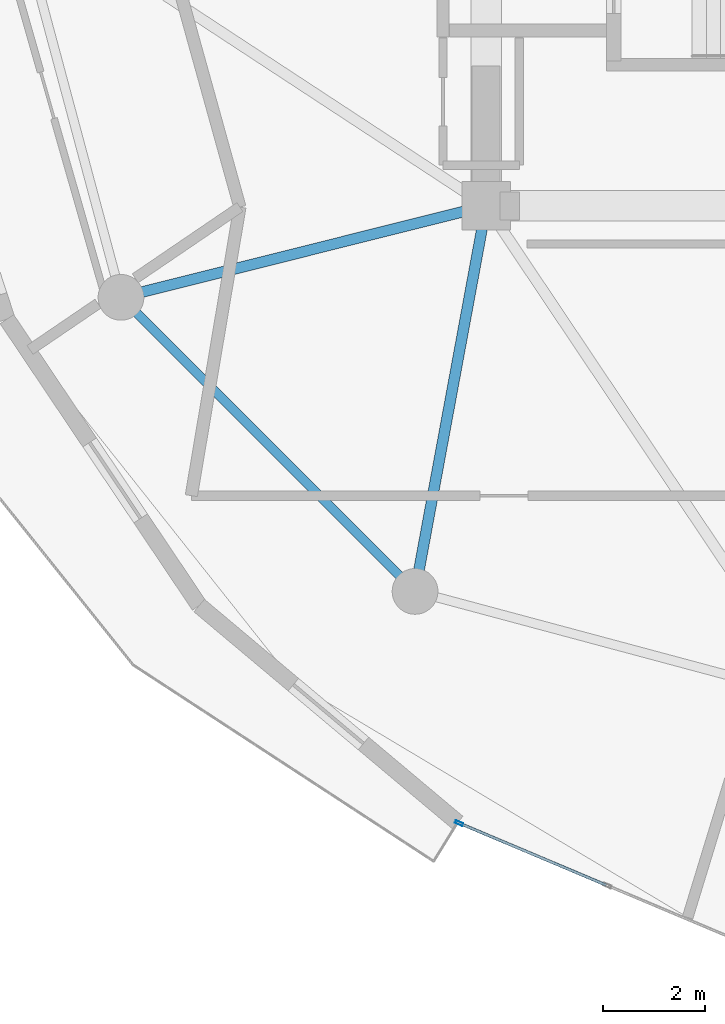
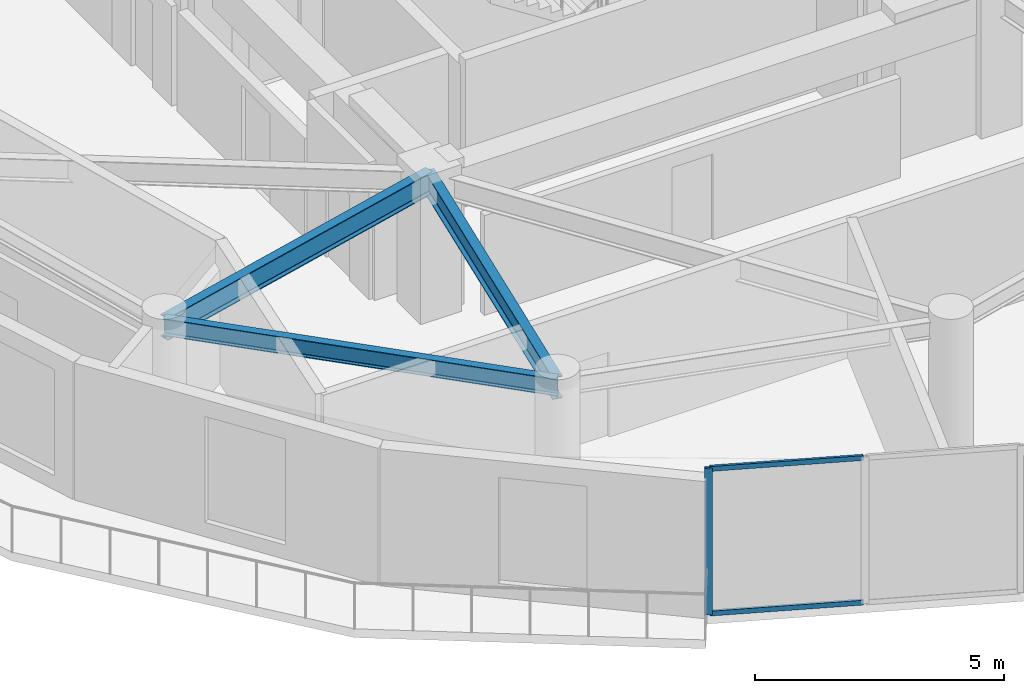
# One storey, part 2 of 18: 3 beams, 3 members, 1 element without a shape of its own.
"""IFC4 building model written with IfcOpenShell, lengths in metres."""

import ifcopenshell
import ifcopenshell.guid

model = None  # the IFC model being written
_history = None  # IfcOwnerHistory: only IFC2X3 demands one
_inside = {}  # id of a spatial element -> (the spatial element, [elements in it])
_under = {}  # id of a project, library or spatial element -> (it, [spatial elements below it])
_declared = {}  # id of a project -> (the project, [libraries it declares])
_typed = {}  # id of a type object -> (the type object, [elements of that type])
_made_of = {}  # id of a material, layer set ... -> (it, [elements and type objects made of it])


def new_model(schema):
    """Start an empty IFC model of exactly this schema.

    Asked for "IFC4X3", IfcOpenShell would pick the latest addendum, in which some entities
    have other attributes; the version numbers below select the first issue.
    IFC2X3 requires an IfcOwnerHistory on every rooted entity: one is made here for all.
    """
    global model, _history
    if schema == "IFC4X3":
        model = ifcopenshell.file(schema_version=(4, 3, 0, 0))
    else:
        model = ifcopenshell.file(schema=schema)
    _inside.clear()
    _under.clear()
    _declared.clear()
    _typed.clear()
    _made_of.clear()
    _history = None
    if model.schema == "IFC2X3":
        org = make("IfcOrganization", Name="unknown")
        user = make(
            "IfcPersonAndOrganization",
            ThePerson=make("IfcPerson", FamilyName="unknown"),
            TheOrganization=org,
        )
        app = make(
            "IfcApplication",
            ApplicationDeveloper=org,
            Version="unknown",
            ApplicationFullName="unknown",
            ApplicationIdentifier="unknown",
        )
        _history = make(
            "IfcOwnerHistory",
            OwningUser=user,
            OwningApplication=app,
            ChangeAction="ADDED",
            CreationDate=0,
        )
    return model


def make(cls, **values):
    """One entity of the class cls with the attributes given. An attribute that is None is left unset."""
    return model.create_entity(
        cls, **{name: value for name, value in values.items() if value is not None}
    )


def rooted(cls, **values):
    """An entity with a GlobalId (a new one), such as an element, a storey or a relation."""
    return make(cls, GlobalId=ifcopenshell.guid.new(), OwnerHistory=_history, **values)


def si_unit(unit_type, name, prefix=None):
    """IfcSIUnit, for example si_unit("LENGTHUNIT", "METRE", prefix="MILLI")."""
    return make("IfcSIUnit", UnitType=unit_type, Prefix=prefix, Name=name)


def assignment(units):
    """IfcUnitAssignment: the units of a project."""
    return None if units is None else make("IfcUnitAssignment", Units=units)


def point(xyz):
    """IfcCartesianPoint."""
    return None if xyz is None else make("IfcCartesianPoint", Coordinates=xyz)


def direction(xyz):
    """IfcDirection."""
    return None if xyz is None else make("IfcDirection", DirectionRatios=xyz)


def frame(location, z_axis=None, x_axis=None):
    """IfcAxis2Placement3D, a coordinate frame: its origin and axes. An axis left out is left unset."""
    return make(
        "IfcAxis2Placement3D",
        Location=point(location),
        Axis=direction(z_axis),
        RefDirection=direction(x_axis),
    )


def frame_2d(location, x_axis=None):
    """IfcAxis2Placement2D, a coordinate frame in the plane: its origin and x axis."""
    return make(
        "IfcAxis2Placement2D", Location=point(location), RefDirection=direction(x_axis)
    )


def origin():
    """The frame at (0, 0, 0) with its axes left unset."""
    return frame((0.0, 0.0, 0.0))


def origin_2d():
    """The frame at (0, 0) in the plane with its x axis left unset."""
    return frame_2d((0.0, 0.0))


def place(relative_to, where):
    """IfcLocalPlacement: puts the frame where relative to a parent placement (None: the world)."""
    return make(
        "IfcLocalPlacement", PlacementRelTo=relative_to, RelativePlacement=where
    )


def context(
    kind, dimensions, precision=None, world=None, true_north=None, identifier=None
):
    """IfcGeometricRepresentationContext, for example the 3D "Model" context."""
    return make(
        "IfcGeometricRepresentationContext",
        ContextIdentifier=identifier,
        ContextType=kind,
        CoordinateSpaceDimension=dimensions,
        Precision=precision,
        WorldCoordinateSystem=world,
        TrueNorth=true_north,
    )


def subcontext(parent, identifier, kind, view, scale=None):
    """IfcGeometricRepresentationSubContext, for example "Body" below "Model"."""
    return make(
        "IfcGeometricRepresentationSubContext",
        ContextIdentifier=identifier,
        ContextType=kind,
        ParentContext=parent,
        TargetScale=scale,
        TargetView=view,
    )


def project(units=None, contexts=None):
    """IfcProject with its units and contexts."""
    return rooted(
        "IfcProject",
        Name="project",
        RepresentationContexts=contexts,
        UnitsInContext=assignment(units),
    )


def spatial(cls, under=None, at=None, **own):
    """A site, building, storey or space (cls), placed at a placement, below another one or the project."""
    s = rooted(cls, ObjectPlacement=at, **own)
    if under is not None:
        _under.setdefault(under.id(), (under, []))[1].append(s)
    return s


def profile(cls, at=None, kind="AREA", **sizes):
    """A parametric profile (cls). Its sizes go by their IFC names, for example OverallWidth=200.0."""
    return make(cls, ProfileType=kind, Position=at, **sizes)


def hollow_rectangle(**sizes):
    """IfcRectangleHollowProfileDef."""
    return profile("IfcRectangleHollowProfileDef", **sizes)


def i_section(**sizes):
    """IfcIShapeProfileDef."""
    return profile("IfcIShapeProfileDef", **sizes)


def extrude(swept, where, along, depth):
    """IfcExtrudedAreaSolid: the profile swept, set in the frame where, extruded along a direction by depth."""
    return make(
        "IfcExtrudedAreaSolid",
        SweptArea=swept,
        Position=where,
        ExtrudedDirection=direction(along),
        Depth=depth,
    )


def shape(context_of_items, identifier, shape_type, items):
    """IfcShapeRepresentation: the items that make up one representation, for example the "Body"."""
    return make(
        "IfcShapeRepresentation",
        ContextOfItems=context_of_items,
        RepresentationIdentifier=identifier,
        RepresentationType=shape_type,
        Items=items,
    )


def source(mapping_origin, context_of_items, identifier, shape_type, items):
    """IfcRepresentationMap: a shape defined once, which mapped items show again and again."""
    return make(
        "IfcRepresentationMap",
        MappingOrigin=mapping_origin,
        MappedRepresentation=shape(context_of_items, identifier, shape_type, items),
    )


def transform(
    local_origin,
    x_axis=None,
    y_axis=None,
    z_axis=None,
    scale=None,
    scale2=None,
    scale3=None,
    uniform=True,
):
    """IfcCartesianTransformationOperator3D, or its non-uniform kind. x_axis, y_axis, z_axis: its Axis1, 2, 3."""
    if uniform:
        return make(
            "IfcCartesianTransformationOperator3D",
            Axis1=direction(x_axis),
            Axis2=direction(y_axis),
            LocalOrigin=point(local_origin),
            Scale=scale,
            Axis3=direction(z_axis),
        )
    return make(
        "IfcCartesianTransformationOperator3DnonUniform",
        Axis1=direction(x_axis),
        Axis2=direction(y_axis),
        LocalOrigin=point(local_origin),
        Scale=scale,
        Axis3=direction(z_axis),
        Scale2=scale2,
        Scale3=scale3,
    )


def mapped(mapping_source, mapping_target):
    """IfcMappedItem: shows the shape of a source again, moved by a transform."""
    return make(
        "IfcMappedItem", MappingSource=mapping_source, MappingTarget=mapping_target
    )


def material(Name=None, Category=None):
    """IfcMaterial."""
    return make("IfcMaterial", Name=Name, Category=Category)


def layer(
    of_material, thickness, ventilated=None, Name=None, Category=None, Priority=None
):
    """IfcMaterialLayer: one layer of a wall or slab, of a material (None: an air gap)."""
    return make(
        "IfcMaterialLayer",
        Material=of_material,
        LayerThickness=thickness,
        IsVentilated=ventilated,
        Name=Name,
        Category=Category,
        Priority=Priority,
    )


def layer_set(layers, Name=None):
    """IfcMaterialLayerSet."""
    return make("IfcMaterialLayerSet", MaterialLayers=layers, LayerSetName=Name)


def material_profile(
    of_material, cross_section, Name=None, Category=None, Priority=None
):
    """IfcMaterialProfile: a cross section and its material."""
    return make(
        "IfcMaterialProfile",
        Name=Name,
        Material=of_material,
        Profile=cross_section,
        Priority=Priority,
        Category=Category,
    )


def profile_set(profiles, Name=None, composite=None):
    """IfcMaterialProfileSet."""
    return make(
        "IfcMaterialProfileSet",
        Name=Name,
        MaterialProfiles=profiles,
        CompositeProfile=composite,
    )


def made_of(thing, what):
    """Note that an element or type object is made of a material, layer set ...; save() writes the relation."""
    if what is not None:
        _made_of.setdefault(what.id(), (what, []))[1].append(thing)
    return thing


def type_object(cls, material=None, **own):
    """A type object (cls), such as IfcWallType, which elements share."""
    return made_of(rooted(cls, **own), material)


def element(
    cls,
    number,
    at=None,
    inside=None,
    cuts=None,
    type_object=None,
    material=None,
    context=None,
    identifier="Body",
    shape_type=None,
    held_by="IfcProductDefinitionShape",
    body=None,
    shapes=None,
    **own,
):
    """One element of the class cls, such as IfcWall. Its Tag is "e" and its number.

    at: its placement. inside: the storey or other place that contains it. cuts: it is an
    opening in that element (IfcRelVoidsElement). A single representation is given by context,
    identifier, shape_type and body (its items); several are given by shapes. held_by: the class
    of the entity that holds the representations. save() writes the other relations.
    """
    e = rooted(cls, Tag="e%d" % number, ObjectPlacement=at, **own)
    if body is not None:
        shapes = [shape(context, identifier, shape_type, body)]
    if shapes is not None:
        e.Representation = make(held_by, Representations=shapes)
    if inside is not None:
        _inside.setdefault(inside.id(), (inside, []))[1].append(e)
    if cuts is not None:
        rooted(
            "IfcRelVoidsElement", RelatingBuildingElement=cuts, RelatedOpeningElement=e
        )
    if type_object is not None:
        _typed.setdefault(type_object.id(), (type_object, []))[1].append(e)
    return made_of(e, material)


def aggregate(whole, parts):
    """IfcRelAggregates: a whole, such as a stair, and the parts it consists of."""
    return rooted("IfcRelAggregates", RelatingObject=whole, RelatedObjects=parts)


def save(model, path):
    """Write the relations noted so far, then the file.

    IfcRelAggregates (storeys below a building ...), IfcRelContainedInSpatialStructure (elements
    in a storey), IfcRelDefinesByType, IfcRelAssociatesMaterial and IfcRelDeclares: one each for
    every whole, place, type object, material and project.
    """
    for whole, parts in _under.values():
        aggregate(whole, parts)
    for where, things in _inside.values():
        rooted(
            "IfcRelContainedInSpatialStructure",
            RelatedElements=things,
            RelatingStructure=where,
        )
    for kind, things in _typed.values():
        rooted("IfcRelDefinesByType", RelatedObjects=things, RelatingType=kind)
    for what, things in _made_of.values():
        rooted("IfcRelAssociatesMaterial", RelatedObjects=things, RelatingMaterial=what)
    for by, libraries in _declared.values():
        rooted("IfcRelDeclares", RelatingContext=by, RelatedDefinitions=libraries)
    model.write(path)


model = new_model("IFC4")

# Units and contexts
model_context = context("Model", 3, precision=1e-05, world=origin(), true_north=direction((0.0, 1.0)))
body_context = subcontext(model_context, "Body", "Model", "MODEL_VIEW")
ifc_project = project(units=[si_unit("LENGTHUNIT", "METRE"), si_unit("AREAUNIT", "SQUARE_METRE"), si_unit("VOLUMEUNIT", "CUBIC_METRE"), si_unit("PLANEANGLEUNIT", "RADIAN"), si_unit("MASSUNIT", "GRAM", prefix="KILO")], contexts=[model_context])

# Site, building, storey
site_placement = place(None, origin())
site = spatial("IfcSite", under=ifc_project, at=site_placement, CompositionType="ELEMENT")
building_placement = place(site_placement, origin())
building = spatial("IfcBuilding", under=site, at=building_placement, Name="Solvirekh Grand Hotel", CompositionType="ELEMENT")
storey_placement = place(building_placement, frame((0.0, 0.0, 202.0)))
storey = spatial("IfcBuildingStorey", under=building, at=storey_placement, Name="L52", CompositionType="ELEMENT", Elevation=202.0)

# Beams
ifc_material_1 = material(Name="Steel S355", Category="steel")
ifc_material_profile_1 = material_profile(ifc_material_1, i_section(OverallWidth=0.2119140625, OverallDepth=0.5439453125, WebThickness=0.011962890625, FlangeThickness=0.01904296875, FilletRadius=0.013916015625, at=origin_2d()), Name="W530X123")
ifc_profile_set_1 = profile_set([ifc_material_profile_1], Name="Steel S355")
beam_type_1 = type_object("IfcBeamType", Name="Beam_Radial_W530H", PredefinedType="BEAM", material=ifc_profile_set_1)
beam_1_placement = place(storey_placement, frame((-6.5, -6.10009765625, 3.087890625), z_axis=(-0.970014367692, -0.243047580675, 0.0), x_axis=(0.243047580675, -0.970014367692, 0.0)))
element("IfcBeam", 1, at=beam_1_placement, inside=storey, type_object=beam_type_1, Name="L52 radial floor beam R08", PredefinedType="BEAM", context=body_context, shape_type="SweptSolid", body=[
    extrude(i_section(OverallWidth=0.2119140625, OverallDepth=0.5439453125, WebThickness=0.011962890625, FlangeThickness=0.01904296875, FilletRadius=0.013916015625, at=origin_2d()), origin(), (0.0, 0.0, 1.0), 7.4052734375),
])
beam_2_placement = place(storey_placement, frame((-6.5, -6.10009765625, 3.087890625), z_axis=(-0.181542769111, -0.983383049978, 0.0), x_axis=(0.983383049978, -0.181542769111, 0.0)))
element("IfcBeam", 2, at=beam_2_placement, inside=storey, type_object=beam_type_1, Name="L52 radial floor beam R09", PredefinedType="BEAM", context=body_context, shape_type="SweptSolid", body=[
    extrude(i_section(OverallWidth=0.2119140625, OverallDepth=0.5439453125, WebThickness=0.011962890625, FlangeThickness=0.01904296875, FilletRadius=0.013916015625, at=origin_2d()), origin(), (0.0, 0.0, 1.0), 7.711181640625),
])
ifc_material_profile_2 = material_profile(ifc_material_1, i_section(OverallWidth=0.180908203125, OverallDepth=0.4169921875, WebThickness=0.010009765625, FlangeThickness=0.01611328125, FilletRadius=0.011962890625, at=origin_2d()), Name="W410X85")
ifc_profile_set_2 = profile_set([ifc_material_profile_2], Name="Steel S355")
beam_type_2 = type_object("IfcBeamType", Name="Spandrel_Ring_W410", PredefinedType="SPANDREL", material=ifc_profile_set_2)
beam_3_placement = place(storey_placement, frame((-13.68310546875, -7.89990234375, 3.152099609375), z_axis=(0.707106781187, -0.707106781187, 0.0), x_axis=(0.707106781187, 0.707106781187, 0.0)))
element("IfcBeam", 3, at=beam_3_placement, inside=storey, type_object=beam_type_2, Name="L52 perimeter spandrel beam 8", PredefinedType="SPANDREL", context=body_context, shape_type="SweptSolid", body=[
    extrude(i_section(OverallWidth=0.180908203125, OverallDepth=0.4169921875, WebThickness=0.010009765625, FlangeThickness=0.01611328125, FilletRadius=0.011962890625, at=origin_2d()), origin(), (0.0, 0.0, 1.0), 8.1787109375),
])

# Curtain wall, members
ifc_material_2 = material(Name="Anodized Bronze Aluminium 6063-T6", Category="aluminium")
ifc_layer = layer(ifc_material_2, 0.159912109375)
ifc_layer_set = layer_set([ifc_layer], Name="Anodized Bronze Aluminium 6063-T6")
curtain_wall_type = type_object("IfcCurtainWallType", Name="CW_Sys4_HighZoneFlushBronzeCW", PredefinedType="NOTDEFINED", material=ifc_layer_set)
curtain_wall_placement = place(storey_placement, origin())
curtain_wall = element("IfcCurtainWall", 4, at=curtain_wall_placement, inside=storey, type_object=curtain_wall_type, Name="L52 unitised bronze-glass curtain wall CW-L52-C18", PredefinedType="NOTDEFINED")
ifc_material_profile_3 = material_profile(ifc_material_2, hollow_rectangle(XDim=0.06005859375, YDim=0.159912109375, WallThickness=0.0048828125, at=origin_2d()), Name="ALU RHS 160X60X5")
ifc_profile_set_3 = profile_set([ifc_material_profile_3], Name="Anodized Bronze Aluminium 6063-T6")
member_type_1 = type_object("IfcMemberType", Name="CWMullion_Sys4", PredefinedType="MULLION", material=ifc_profile_set_3)
shared_shape_1 = source(origin(), body_context, "Body", "SweptSolid", [
    extrude(hollow_rectangle(XDim=0.06005859375, YDim=0.159912109375, WallThickness=0.0048828125, at=origin_2d()), origin(), (0.0, 0.0, 1.0), 3.60009765625),
])
member_1_placement = place(storey_placement, frame((-7.033447265625, -18.24072265625, 0.0), z_axis=(0.0, 0.0, 1.0), x_axis=(0.388490802791, 0.92145260114, 0.0)))
member_1 = element("IfcMember", 5, at=member_1_placement, type_object=member_type_1, Name="U04 mullion 1", PredefinedType="MULLION", context=body_context, shape_type="MappedRepresentation", body=[
    mapped(shared_shape_1, transform((0.0, 0.0, 0.0), x_axis=(1.0, 0.0, 0.0), y_axis=(0.0, 1.0, 0.0), z_axis=(0.0, 0.0, 1.0), scale=1.0)),
])
ifc_material_profile_4 = material_profile(ifc_material_2, hollow_rectangle(XDim=0.054931640625, YDim=0.1201171875, WallThickness=0.00390625, at=origin_2d()), Name="ALU RHS 120X55X4")
ifc_profile_set_4 = profile_set([ifc_material_profile_4], Name="Anodized Bronze Aluminium 6063-T6")
member_type_2 = type_object("IfcMemberType", Name="CWTransom_Sys4", PredefinedType="USERDEFINED", material=ifc_profile_set_4)
shared_shape_2 = source(origin(), body_context, "Body", "SweptSolid", [
    extrude(hollow_rectangle(XDim=0.054931640625, YDim=0.1201171875, WallThickness=0.00390625, at=origin_2d()), origin(), (0.0, 0.0, 1.0), 3.104248046875),
])
member_2_placement = place(storey_placement, frame((-7.005615234375, -18.252197265625, 0.027587890625), z_axis=(0.921439841157, -0.388521066517, 0.0), x_axis=(0.388521066517, 0.921439841157, 0.0)))
member_2 = element("IfcMember", 6, at=member_2_placement, type_object=member_type_2, Name="U04 transom 1.1", ObjectType="TRANSOM", PredefinedType="USERDEFINED", context=body_context, shape_type="MappedRepresentation", body=[
    mapped(shared_shape_2, transform((0.0, 0.0, 0.0), x_axis=(1.0, 0.0, 0.0), y_axis=(0.0, 1.0, 0.0), z_axis=(0.0, 0.0, 1.0), scale=1.0)),
])
member_3_placement = place(storey_placement, frame((-7.005615234375, -18.252197265625, 3.572509765625), z_axis=(0.921439841157, -0.388521066517, 0.0), x_axis=(0.388521066517, 0.921439841157, 0.0)))
member_3 = element("IfcMember", 7, at=member_3_placement, type_object=member_type_2, Name="U04 transom 1.2", ObjectType="TRANSOM", PredefinedType="USERDEFINED", context=body_context, shape_type="MappedRepresentation", body=[
    mapped(shared_shape_2, transform((0.0, 0.0, 0.0), x_axis=(1.0, 0.0, 0.0), y_axis=(0.0, 1.0, 0.0), z_axis=(0.0, 0.0, 1.0), scale=1.0)),
])
aggregate(curtain_wall, [member_1, member_2, member_3])

save(model, "model.ifc")
